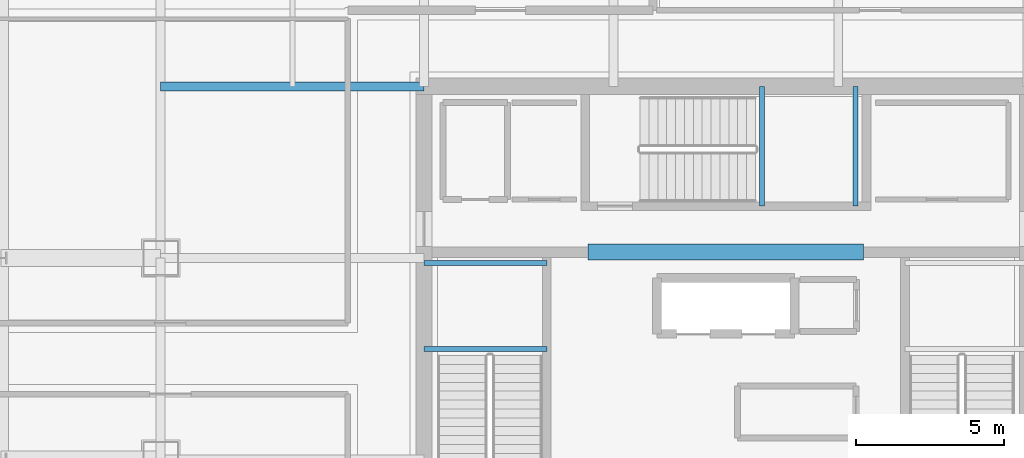
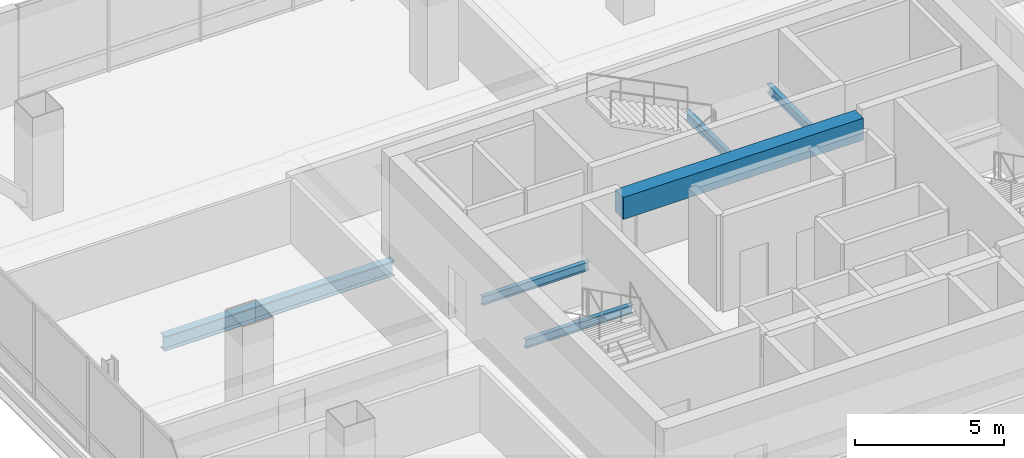
# One storey, part 13 of 51: 6 beams.
"""IFC4 building model written with IfcOpenShell, lengths in metres."""

from ifc_helpers import new_model, si_unit, direction, frame, origin, origin_2d, place, context, subcontext, project, spatial, rectangle, i_section, extrude, material, material_profile, profile_set, type_object, element, save


model = new_model("IFC4")

# Units and contexts
model_context = context("Model", 3, precision=1e-05, world=origin(), true_north=direction((0.0, 1.0)))
body_context = subcontext(model_context, "Body", "Model", "MODEL_VIEW")
ifc_project = project(units=[si_unit("LENGTHUNIT", "METRE"), si_unit("AREAUNIT", "SQUARE_METRE"), si_unit("VOLUMEUNIT", "CUBIC_METRE"), si_unit("PLANEANGLEUNIT", "RADIAN"), si_unit("MASSUNIT", "GRAM", prefix="KILO")], contexts=[model_context])

# Site, building, storey
site_placement = place(None, origin())
site = spatial("IfcSite", under=ifc_project, at=site_placement, CompositionType="ELEMENT")
building_placement = place(site_placement, origin())
building = spatial("IfcBuilding", under=site, at=building_placement, Name="Punatoya Terracotta Tower", CompositionType="ELEMENT")
storey_placement = place(building_placement, frame((0.0, 0.0, 313.199951171875)))
storey = spatial("IfcBuildingStorey", under=building, at=storey_placement, Name="L74", CompositionType="ELEMENT", Elevation=313.199951171875)

# Beams
ifc_material_1 = material(Name="Steel S355", Category="steel")
ifc_material_profile_1 = material_profile(ifc_material_1, i_section(OverallWidth=0.300048828125, OverallDepth=0.60009765625, WebThickness=0.015380859375, FlangeThickness=0.030029296875, FilletRadius=0.01806640625, at=origin_2d()))
ifc_profile_set_1 = profile_set([ifc_material_profile_1], Name="Steel S355")
beam_type_1 = type_object("IfcBeamType", Name="BM-PRI-600", PredefinedType="BEAM", material=ifc_profile_set_1)
beam_1_placement = place(storey_placement, frame((-19.10009765625, 9.199951171875, -0.5), z_axis=(1.0, 0.0, 0.0), x_axis=(0.0, 1.0, 0.0)))
element("IfcBeam", 1, at=beam_1_placement, inside=storey, type_object=beam_type_1, Name="BM-L74-PR-WN", PredefinedType="BEAM", context=body_context, shape_type="SweptSolid", body=[
    extrude(i_section(OverallWidth=0.300048828125, OverallDepth=0.60009765625, WebThickness=0.015380859375, FlangeThickness=0.030029296875, FilletRadius=0.01806640625, at=origin_2d()), origin(), (0.0, 0.0, 1.0), 8.900146484375),
])
ifc_material_2 = material(Name="Concrete C50/60", Category="concrete")
ifc_material_profile_2 = material_profile(ifc_material_2, rectangle(XDim=0.550048828125, YDim=0.89990234375, at=origin_2d()))
ifc_profile_set_2 = profile_set([ifc_material_profile_2], Name="Concrete C50/60")
beam_type_2 = type_object("IfcBeamType", Name="BM-RC-900", PredefinedType="LINTEL", material=ifc_profile_set_2)
beam_2_placement = place(storey_placement, frame((-4.64990234375, 3.60009765625, 3.469970703125), z_axis=(1.0, 0.0, 0.0), x_axis=(0.0, 1.0, 0.0)))
element("IfcBeam", 2, at=beam_2_placement, inside=storey, type_object=beam_type_2, Name="L74 Core Coupling Lintel CNW", PredefinedType="LINTEL", context=body_context, shape_type="SweptSolid", body=[
    extrude(rectangle(XDim=0.550048828125, YDim=0.89990234375, at=origin_2d()), origin(), (0.0, 0.0, 1.0), 9.2998046875),
])
ifc_material_profile_3 = material_profile(ifc_material_1, i_section(OverallWidth=0.169921875, OverallDepth=0.360107421875, WebThickness=0.008056640625, FlangeThickness=0.0126953125, FilletRadius=0.01806640625, at=origin_2d()))
ifc_profile_set_3 = profile_set([ifc_material_profile_3], Name="Steel S355")
beam_type_3 = type_object("IfcBeamType", Name="BM-SEC-360", PredefinedType="JOIST", material=ifc_profile_set_3)
for number, where, z_axis, x_axis, name in (
    (3, (-10.199951171875, 0.320068359375, 1.719970703125), (1.0, 0.0, 0.0), (0.0, 1.0, 0.0), "BM-L74-ST-1-LD1A"),
    (4, (-10.199951171875, 3.22998046875, 1.719970703125), (1.0, 0.0, 0.0), (0.0, 1.0, 0.0), "BM-L74-ST-1-LD1B"),
):
    element("IfcBeam", number, at=place(storey_placement, frame(where, z_axis=z_axis, x_axis=x_axis)), inside=storey, type_object=beam_type_3, Name=name, PredefinedType="JOIST", context=body_context, shape_type="SweptSolid", body=[
        extrude(i_section(OverallWidth=0.169921875, OverallDepth=0.360107421875, WebThickness=0.008056640625, FlangeThickness=0.0126953125, FilletRadius=0.01806640625, at=origin_2d()), origin(), (0.0, 0.0, 1.0), 4.14990234375),
    ])
for number, where, z_axis, x_axis, name in (
    (5, (1.219970703125, 5.14990234375, 1.719970703125), (0.0, 1.0, 0.0), (-1.0, 0.0, 0.0), "BM-L74-ST-3-LD1A"),
    (6, (4.3798828125, 5.14990234375, 1.719970703125), (0.0, 1.0, 0.0), (-1.0, 0.0, 0.0), "BM-L74-ST-3-LD1B"),
):
    element("IfcBeam", number, at=place(storey_placement, frame(where, z_axis=z_axis, x_axis=x_axis)), inside=storey, type_object=beam_type_3, Name=name, PredefinedType="JOIST", context=body_context, shape_type="SweptSolid", body=[
        extrude(i_section(OverallWidth=0.169921875, OverallDepth=0.360107421875, WebThickness=0.008056640625, FlangeThickness=0.0126953125, FilletRadius=0.01806640625, at=origin_2d()), origin(), (0.0, 0.0, 1.0), 4.050048828125),
    ])

save(model, "model.ifc")
